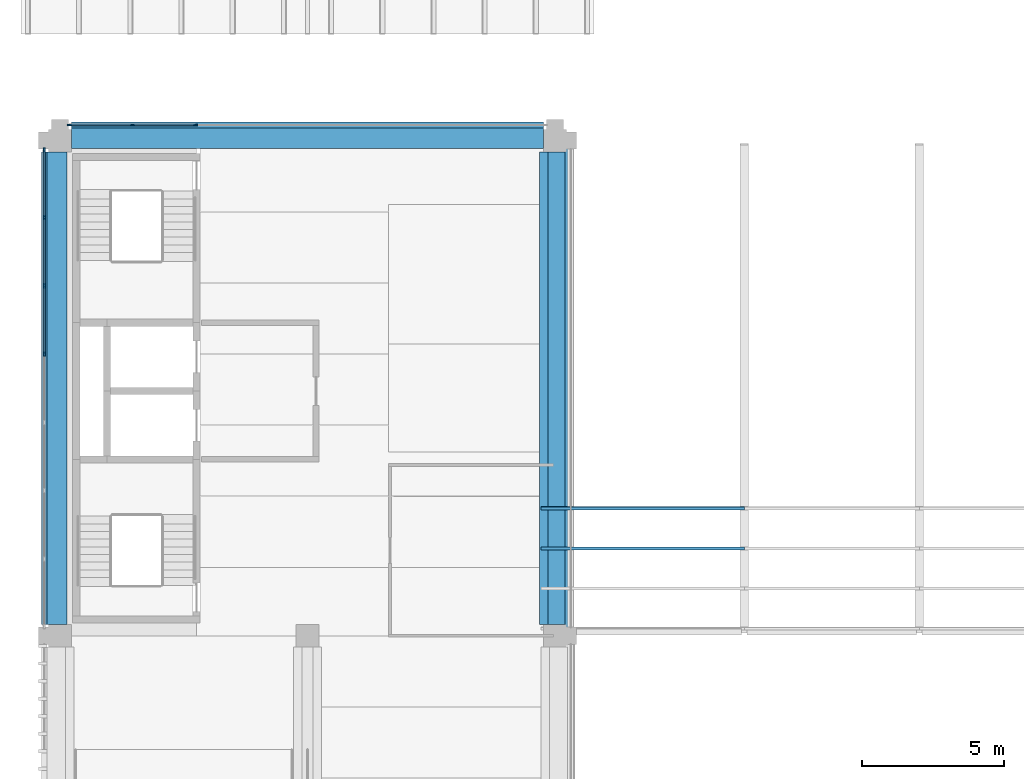
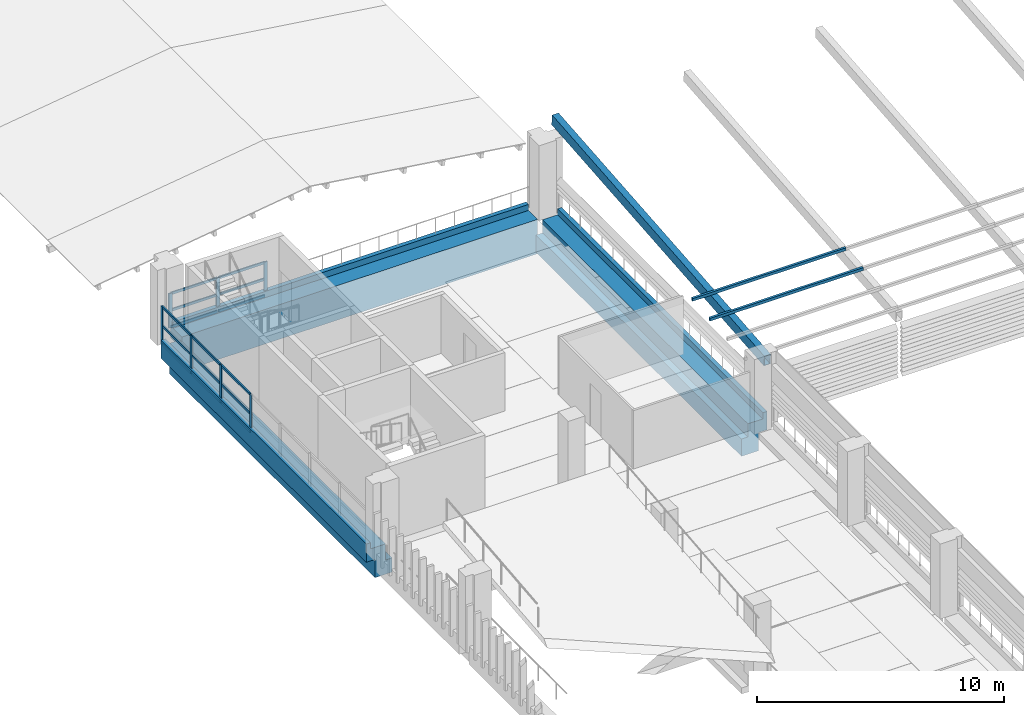
# One storey, part 5 of 52: 25 members, 3 beams, 2 elements without a shape of their own.
"""IFC4 building model written with IfcOpenShell, lengths in metres."""

from ifc_helpers import new_model, si_unit, direction, frame, origin, origin_2d, place, context, subcontext, project, spatial, polyline, rectangle, hollow_rectangle, outline, extrude, material, layer, layer_set, material_profile, profile_set, type_object, element, aggregate, save


model = new_model("IFC4")

# Units and contexts
model_context = context("Model", 3, precision=1e-05, world=origin(), true_north=direction((0.0, 1.0)))
body_context = subcontext(model_context, "Body", "Model", "MODEL_VIEW")
ifc_project = project(units=[si_unit("LENGTHUNIT", "METRE"), si_unit("AREAUNIT", "SQUARE_METRE"), si_unit("VOLUMEUNIT", "CUBIC_METRE"), si_unit("PLANEANGLEUNIT", "RADIAN"), si_unit("MASSUNIT", "GRAM", prefix="KILO")], contexts=[model_context])

# Site, building, storey
site_placement = place(None, origin())
site = spatial("IfcSite", under=ifc_project, at=site_placement, CompositionType="ELEMENT")
building_placement = place(site_placement, origin())
building = spatial("IfcBuilding", under=site, at=building_placement, Name="Cour d'Honneur Mobility Palace", CompositionType="ELEMENT")
storey_placement = place(building_placement, frame((0.0, 0.0, 23.0)))
storey = spatial("IfcBuildingStorey", under=building, at=storey_placement, Name="L06", CompositionType="ELEMENT", Elevation=23.0)

# Curtain wall, members
ifc_material_1 = material(Name="Aluminium and glass", Category="aluminium")
ifc_layer = layer(ifc_material_1, 0.10009765625)
ifc_layer_set = layer_set([ifc_layer], Name="Aluminium and glass")
curtain_wall_type = type_object("IfcCurtainWallType", Name="Curtain wall run", PredefinedType="NOTDEFINED", material=ifc_layer_set)
curtain_wall_1_placement = place(storey_placement, origin())
curtain_wall_1 = element("IfcCurtainWall", 1, at=curtain_wall_1_placement, inside=storey, type_object=curtain_wall_type, Name="Curtain wall CW-106", PredefinedType="NOTDEFINED")
ifc_material_2 = material(Name="Aluminium", Category="aluminium")
ifc_material_profile_1 = material_profile(ifc_material_2, rectangle(XDim=0.06005859375, YDim=0.159912109375, at=origin_2d()), Name="Curtain wall mullion")
ifc_profile_set_1 = profile_set([ifc_material_profile_1], Name="Aluminium")
member_type_1 = type_object("IfcMemberType", Name="Curtain wall mullion", PredefinedType="MULLION", material=ifc_profile_set_1)
member_1_placement = place(storey_placement, frame((4.77001953125, 62.949951171875, 0.0), z_axis=(0.0, 0.0, 1.0), x_axis=(0.0, -1.0, 0.0)))
member_1 = element("IfcMember", 2, at=member_1_placement, type_object=member_type_1, Name="CW-106 mullion 1", PredefinedType="MULLION", context=body_context, shape_type="SweptSolid", body=[
    extrude(rectangle(XDim=0.06005859375, YDim=0.159912109375, at=origin_2d()), origin(), (0.0, 0.0, 1.0), 1.699951171875),
])
member_2_placement = place(storey_placement, frame((2.550048828125, 62.949951171875, 0.0), z_axis=(0.0, 0.0, 1.0), x_axis=(0.0, -1.0, 0.0)))
member_2 = element("IfcMember", 3, at=member_2_placement, type_object=member_type_1, Name="CW-106 mullion 2", PredefinedType="MULLION", context=body_context, shape_type="SweptSolid", body=[
    extrude(rectangle(XDim=0.06005859375, YDim=0.159912109375, at=origin_2d()), origin(), (0.0, 0.0, 1.0), 1.699951171875),
])
member_3_placement = place(storey_placement, frame((0.330078125, 62.949951171875, 0.0), z_axis=(0.0, 0.0, 1.0), x_axis=(0.0, -1.0, 0.0)))
member_3 = element("IfcMember", 4, at=member_3_placement, type_object=member_type_1, Name="CW-106 mullion 3", PredefinedType="MULLION", context=body_context, shape_type="SweptSolid", body=[
    extrude(rectangle(XDim=0.06005859375, YDim=0.159912109375, at=origin_2d()), origin(), (0.0, 0.0, 1.0), 1.699951171875),
])

curtain_wall_2_placement = place(storey_placement, origin())
curtain_wall_2 = element("IfcCurtainWall", 5, at=curtain_wall_2_placement, inside=storey, type_object=curtain_wall_type, Name="Curtain wall CW-107", PredefinedType="NOTDEFINED")
member_4_placement = place(storey_placement, frame((-0.550048828125, 62.070068359375, 0.0), z_axis=(0.0, 0.0, 1.0), x_axis=(1.0, 0.0, 0.0)))
member_4 = element("IfcMember", 6, at=member_4_placement, type_object=member_type_1, Name="CW-107 mullion 1", PredefinedType="MULLION", context=body_context, shape_type="SweptSolid", body=[
    extrude(rectangle(XDim=0.06005859375, YDim=0.159912109375, at=origin_2d()), origin(), (0.0, 0.0, 1.0), 1.89990234375),
])
member_5_placement = place(storey_placement, frame((-0.550048828125, 59.699951171875, 0.0), z_axis=(0.0, 0.0, 1.0), x_axis=(1.0, 0.0, 0.0)))
member_5 = element("IfcMember", 7, at=member_5_placement, type_object=member_type_1, Name="CW-107 mullion 2", PredefinedType="MULLION", context=body_context, shape_type="SweptSolid", body=[
    extrude(rectangle(XDim=0.06005859375, YDim=0.159912109375, at=origin_2d()), origin(), (0.0, 0.0, 1.0), 1.89990234375),
])
member_6_placement = place(storey_placement, frame((-0.550048828125, 57.300048828125, 0.0), z_axis=(0.0, 0.0, 1.0), x_axis=(1.0, 0.0, 0.0)))
member_6 = element("IfcMember", 8, at=member_6_placement, type_object=member_type_1, Name="CW-107 mullion 3", PredefinedType="MULLION", context=body_context, shape_type="SweptSolid", body=[
    extrude(rectangle(XDim=0.06005859375, YDim=0.159912109375, at=origin_2d()), origin(), (0.0, 0.0, 1.0), 1.89990234375),
])
member_7_placement = place(storey_placement, frame((-0.550048828125, 54.89990234375, 0.0), z_axis=(0.0, 0.0, 1.0), x_axis=(1.0, 0.0, 0.0)))
member_7 = element("IfcMember", 9, at=member_7_placement, type_object=member_type_1, Name="CW-107 mullion 4", PredefinedType="MULLION", context=body_context, shape_type="SweptSolid", body=[
    extrude(rectangle(XDim=0.06005859375, YDim=0.159912109375, at=origin_2d()), origin(), (0.0, 0.0, 1.0), 1.89990234375),
])

# Member
ifc_material_3 = material(Name="Aluminium", Category="aluminium")
ifc_material_profile_2 = material_profile(ifc_material_3, rectangle(XDim=0.06005859375, YDim=0.1201171875, at=origin_2d()), Name="Curtain wall transom")
ifc_profile_set_2 = profile_set([ifc_material_profile_2], Name="Aluminium")
member_type_2 = type_object("IfcMemberType", Name="Curtain wall transom", PredefinedType="USERDEFINED", material=ifc_profile_set_2)
member_8_placement = place(storey_placement, frame((4.739990234375, 62.949951171875, 0.030029296875), z_axis=(-1.0, 0.0, 0.0), x_axis=(0.0, -1.0, 0.0)))
member_8 = element("IfcMember", 10, at=member_8_placement, type_object=member_type_2, Name="CW-106 transom 1.1", ObjectType="TRANSOM", PredefinedType="USERDEFINED", context=body_context, shape_type="SweptSolid", body=[
    extrude(rectangle(XDim=0.06005859375, YDim=0.1201171875, at=origin_2d()), origin(), (0.0, 0.0, 1.0), 2.159912109375),
])

member_9_placement = place(storey_placement, frame((4.739990234375, 62.949951171875, 0.85009765625), z_axis=(-1.0, 0.0, 0.0), x_axis=(0.0, -1.0, 0.0)))
member_9 = element("IfcMember", 11, at=member_9_placement, type_object=member_type_2, Name="CW-106 transom 1.2", ObjectType="TRANSOM", PredefinedType="USERDEFINED", context=body_context, shape_type="SweptSolid", body=[
    extrude(rectangle(XDim=0.06005859375, YDim=0.1201171875, at=origin_2d()), origin(), (0.0, 0.0, 1.0), 2.159912109375),
])

member_10_placement = place(storey_placement, frame((4.739990234375, 62.949951171875, 1.669921875), z_axis=(-1.0, 0.0, 0.0), x_axis=(0.0, -1.0, 0.0)))
member_10 = element("IfcMember", 12, at=member_10_placement, type_object=member_type_2, Name="CW-106 transom 1.3", ObjectType="TRANSOM", PredefinedType="USERDEFINED", context=body_context, shape_type="SweptSolid", body=[
    extrude(rectangle(XDim=0.06005859375, YDim=0.1201171875, at=origin_2d()), origin(), (0.0, 0.0, 1.0), 2.159912109375),
])

member_11_placement = place(storey_placement, frame((2.52001953125, 62.949951171875, 0.030029296875), z_axis=(-1.0, 0.0, 0.0), x_axis=(0.0, -1.0, 0.0)))
member_11 = element("IfcMember", 13, at=member_11_placement, type_object=member_type_2, Name="CW-106 transom 2.1", ObjectType="TRANSOM", PredefinedType="USERDEFINED", context=body_context, shape_type="SweptSolid", body=[
    extrude(rectangle(XDim=0.06005859375, YDim=0.1201171875, at=origin_2d()), origin(), (0.0, 0.0, 1.0), 2.159912109375),
])

member_12_placement = place(storey_placement, frame((2.52001953125, 62.949951171875, 0.85009765625), z_axis=(-1.0, 0.0, 0.0), x_axis=(0.0, -1.0, 0.0)))
member_12 = element("IfcMember", 14, at=member_12_placement, type_object=member_type_2, Name="CW-106 transom 2.2", ObjectType="TRANSOM", PredefinedType="USERDEFINED", context=body_context, shape_type="SweptSolid", body=[
    extrude(rectangle(XDim=0.06005859375, YDim=0.1201171875, at=origin_2d()), origin(), (0.0, 0.0, 1.0), 2.159912109375),
])

member_13_placement = place(storey_placement, frame((2.52001953125, 62.949951171875, 1.669921875), z_axis=(-1.0, 0.0, 0.0), x_axis=(0.0, -1.0, 0.0)))
member_13 = element("IfcMember", 15, at=member_13_placement, type_object=member_type_2, Name="CW-106 transom 2.3", ObjectType="TRANSOM", PredefinedType="USERDEFINED", context=body_context, shape_type="SweptSolid", body=[
    extrude(rectangle(XDim=0.06005859375, YDim=0.1201171875, at=origin_2d()), origin(), (0.0, 0.0, 1.0), 2.159912109375),
])

aggregate(curtain_wall_1, [member_1, member_2, member_3, member_8, member_9, member_10, member_11, member_12, member_13])

member_14_placement = place(storey_placement, frame((-0.550048828125, 62.0400390625, 0.030029296875), z_axis=(0.0, -1.0, 0.0), x_axis=(1.0, 0.0, 0.0)))
member_14 = element("IfcMember", 16, at=member_14_placement, type_object=member_type_2, Name="CW-107 transom 1.1", ObjectType="TRANSOM", PredefinedType="USERDEFINED", context=body_context, shape_type="SweptSolid", body=[
    extrude(rectangle(XDim=0.06005859375, YDim=0.1201171875, at=origin_2d()), origin(), (0.0, 0.0, 1.0), 2.31005859375),
])

member_15_placement = place(storey_placement, frame((-0.550048828125, 62.0400390625, 0.949951171875), z_axis=(0.0, -1.0, 0.0), x_axis=(1.0, 0.0, 0.0)))
member_15 = element("IfcMember", 17, at=member_15_placement, type_object=member_type_2, Name="CW-107 transom 1.2", ObjectType="TRANSOM", PredefinedType="USERDEFINED", context=body_context, shape_type="SweptSolid", body=[
    extrude(rectangle(XDim=0.06005859375, YDim=0.1201171875, at=origin_2d()), origin(), (0.0, 0.0, 1.0), 2.31005859375),
])

member_16_placement = place(storey_placement, frame((-0.550048828125, 62.0400390625, 1.8701171875), z_axis=(0.0, -1.0, 0.0), x_axis=(1.0, 0.0, 0.0)))
member_16 = element("IfcMember", 18, at=member_16_placement, type_object=member_type_2, Name="CW-107 transom 1.3", ObjectType="TRANSOM", PredefinedType="USERDEFINED", context=body_context, shape_type="SweptSolid", body=[
    extrude(rectangle(XDim=0.06005859375, YDim=0.1201171875, at=origin_2d()), origin(), (0.0, 0.0, 1.0), 2.31005859375),
])

member_17_placement = place(storey_placement, frame((-0.550048828125, 59.669921875, 0.030029296875), z_axis=(0.0, -1.0, 0.0), x_axis=(1.0, 0.0, 0.0)))
member_17 = element("IfcMember", 19, at=member_17_placement, type_object=member_type_2, Name="CW-107 transom 2.1", ObjectType="TRANSOM", PredefinedType="USERDEFINED", context=body_context, shape_type="SweptSolid", body=[
    extrude(rectangle(XDim=0.06005859375, YDim=0.1201171875, at=origin_2d()), origin(), (0.0, 0.0, 1.0), 2.33984375),
])

member_18_placement = place(storey_placement, frame((-0.550048828125, 59.669921875, 0.949951171875), z_axis=(0.0, -1.0, 0.0), x_axis=(1.0, 0.0, 0.0)))
member_18 = element("IfcMember", 20, at=member_18_placement, type_object=member_type_2, Name="CW-107 transom 2.2", ObjectType="TRANSOM", PredefinedType="USERDEFINED", context=body_context, shape_type="SweptSolid", body=[
    extrude(rectangle(XDim=0.06005859375, YDim=0.1201171875, at=origin_2d()), origin(), (0.0, 0.0, 1.0), 2.33984375),
])

member_19_placement = place(storey_placement, frame((-0.550048828125, 59.669921875, 1.8701171875), z_axis=(0.0, -1.0, 0.0), x_axis=(1.0, 0.0, 0.0)))
member_19 = element("IfcMember", 21, at=member_19_placement, type_object=member_type_2, Name="CW-107 transom 2.3", ObjectType="TRANSOM", PredefinedType="USERDEFINED", context=body_context, shape_type="SweptSolid", body=[
    extrude(rectangle(XDim=0.06005859375, YDim=0.1201171875, at=origin_2d()), origin(), (0.0, 0.0, 1.0), 2.33984375),
])

member_20_placement = place(storey_placement, frame((-0.550048828125, 57.27001953125, 0.030029296875), z_axis=(0.0, -1.0, 0.0), x_axis=(1.0, 0.0, 0.0)))
member_20 = element("IfcMember", 22, at=member_20_placement, type_object=member_type_2, Name="CW-107 transom 3.1", ObjectType="TRANSOM", PredefinedType="USERDEFINED", context=body_context, shape_type="SweptSolid", body=[
    extrude(rectangle(XDim=0.06005859375, YDim=0.1201171875, at=origin_2d()), origin(), (0.0, 0.0, 1.0), 2.340087890625),
])

member_21_placement = place(storey_placement, frame((-0.550048828125, 57.27001953125, 0.949951171875), z_axis=(0.0, -1.0, 0.0), x_axis=(1.0, 0.0, 0.0)))
member_21 = element("IfcMember", 23, at=member_21_placement, type_object=member_type_2, Name="CW-107 transom 3.2", ObjectType="TRANSOM", PredefinedType="USERDEFINED", context=body_context, shape_type="SweptSolid", body=[
    extrude(rectangle(XDim=0.06005859375, YDim=0.1201171875, at=origin_2d()), origin(), (0.0, 0.0, 1.0), 2.340087890625),
])

member_22_placement = place(storey_placement, frame((-0.550048828125, 57.27001953125, 1.8701171875), z_axis=(0.0, -1.0, 0.0), x_axis=(1.0, 0.0, 0.0)))
member_22 = element("IfcMember", 24, at=member_22_placement, type_object=member_type_2, Name="CW-107 transom 3.3", ObjectType="TRANSOM", PredefinedType="USERDEFINED", context=body_context, shape_type="SweptSolid", body=[
    extrude(rectangle(XDim=0.06005859375, YDim=0.1201171875, at=origin_2d()), origin(), (0.0, 0.0, 1.0), 2.340087890625),
])

aggregate(curtain_wall_2, [member_4, member_5, member_6, member_7, member_14, member_15, member_16, member_17, member_18, member_19, member_20, member_21, member_22])

# Beams
ifc_material_4 = material(Name="Concrete C45", Category="concrete")
ifc_material_profile_3 = material_profile(ifc_material_4, outline(polyline([(0.27490234375, -1.699951171875), (0.27490234375, -0.60009765625), (0.64990234375, -0.60009765625), (0.64990234375, 0.300048828125), (0.449951171875, 0.300048828125), (0.449951171875, 0.0), (0.27490234375, 0.0), (-0.27490234375, 0.0), (-0.27490234375, -1.699951171875), (0.27490234375, -1.699951171875)])), Name="Edge Spandrel Beam 550x1700 no ledge facade left")
ifc_profile_set_3 = profile_set([ifc_material_profile_3], Name="Concrete C45")
beam_type_1 = type_object("IfcBeamType", Name="Edge Spandrel Beam 550x1700 no ledge facade left", PredefinedType="SPANDREL", material=ifc_profile_set_3)
beam_1_placement = place(storey_placement, frame((0.39990234375, 62.39990234375, 0.0), z_axis=(1.0, 0.0, 0.0), x_axis=(0.0, 1.0, 0.0)))
element("IfcBeam", 25, at=beam_1_placement, inside=storey, type_object=beam_type_1, Name="Precast beam B7 1-2 L06", PredefinedType="SPANDREL", context=body_context, shape_type="SweptSolid", body=[
    extrude(outline(polyline([(0.27490234375, -1.699951171875), (0.27490234375, -0.60009765625), (0.64990234375, -0.60009765625), (0.64990234375, 0.300048828125), (0.449951171875, 0.300048828125), (0.449951171875, 0.0), (0.27490234375, 0.0), (-0.27490234375, 0.0), (-0.27490234375, -1.699951171875), (0.27490234375, -1.699951171875)])), origin(), (0.0, 0.0, 1.0), 16.60009765625),
])
ifc_material_5 = material(Name="Concrete C45", Category="concrete")
ifc_material_profile_4 = material_profile(ifc_material_5, outline(polyline([(0.550048828125, -1.5), (0.550048828125, -0.64990234375), (0.25, -0.64990234375), (0.25, 0.0), (-0.25, 0.0), (-0.449951171875, 0.0), (-0.449951171875, 0.300048828125), (-0.64990234375, 0.300048828125), (-0.64990234375, -0.60009765625), (-0.25, -0.60009765625), (-0.25, -1.5), (0.550048828125, -1.5)])), Name="Ledger Beam 500x1500 ledge left 850 facade right")
ifc_profile_set_4 = profile_set([ifc_material_profile_4], Name="Concrete C45")
beam_type_2 = type_object("IfcBeamType", Name="Ledger Beam 500x1500 ledge left 850 facade right", PredefinedType="BEAM", material=ifc_profile_set_4)
beam_2_placement = place(storey_placement, frame((17.39990234375, 45.39990234375, 0.0), z_axis=(0.0, 1.0, 0.0), x_axis=(-1.0, 0.0, 0.0)))
element("IfcBeam", 26, at=beam_2_placement, inside=storey, type_object=beam_type_2, Name="Precast beam B23 G-H L06", PredefinedType="BEAM", context=body_context, shape_type="SweptSolid", body=[
    extrude(outline(polyline([(0.550048828125, -1.5), (0.550048828125, -0.64990234375), (0.25, -0.64990234375), (0.25, 0.0), (-0.25, 0.0), (-0.449951171875, 0.0), (-0.449951171875, 0.300048828125), (-0.64990234375, 0.300048828125), (-0.64990234375, -0.60009765625), (-0.25, -0.60009765625), (-0.25, -1.5), (0.550048828125, -1.5)])), origin(), (0.0, 0.0, 1.0), 16.60009765625),
])
ifc_material_6 = material(Name="Concrete C45", Category="concrete")
ifc_material_profile_5 = material_profile(ifc_material_6, outline(polyline([(0.25, -1.5), (0.25, -0.60009765625), (0.64990234375, -0.60009765625), (0.64990234375, 0.300048828125), (0.449951171875, 0.300048828125), (0.449951171875, 0.0), (0.25, 0.0), (-0.25, 0.0), (-0.25, -0.800048828125), (-0.550048828125, -0.800048828125), (-0.550048828125, -1.5), (0.25, -1.5)])), Name="Ledger Beam 500x1500 ledge right 700 facade left")
ifc_profile_set_5 = profile_set([ifc_material_profile_5], Name="Concrete C45")
beam_type_3 = type_object("IfcBeamType", Name="Ledger Beam 500x1500 ledge right 700 facade left", PredefinedType="BEAM", material=ifc_profile_set_5)
beam_3_placement = place(storey_placement, frame((0.0, 45.39990234375, 0.0), z_axis=(0.0, 1.0, 0.0), x_axis=(-1.0, 0.0, 0.0)))
element("IfcBeam", 27, at=beam_3_placement, inside=storey, type_object=beam_type_3, Name="Precast beam B8 G-H L06", PredefinedType="BEAM", context=body_context, shape_type="SweptSolid", body=[
    extrude(outline(polyline([(0.25, -1.5), (0.25, -0.60009765625), (0.64990234375, -0.60009765625), (0.64990234375, 0.300048828125), (0.449951171875, 0.300048828125), (0.449951171875, 0.0), (0.25, 0.0), (-0.25, 0.0), (-0.25, -0.800048828125), (-0.550048828125, -0.800048828125), (-0.550048828125, -1.5), (0.25, -1.5)])), origin(), (0.0, 0.0, 1.0), 16.60009765625),
])

# Members
ifc_material_7 = material(Name="Steel S355", Category="steel")
ifc_material_profile_6 = material_profile(ifc_material_7, hollow_rectangle(XDim=0.10009765625, YDim=0.14990234375, WallThickness=0.00634765625, at=origin_2d()), Name="RHS 150x100x6.3")
ifc_profile_set_6 = profile_set([ifc_material_profile_6], Name="Steel S355")
member_type_3 = type_object("IfcMemberType", Name="Pergola purlin RHS 150x100x6.3", PredefinedType="PURLIN", material=ifc_profile_set_6)
for number, where, z_axis, x_axis, name in (
    (28, (16.89990234375, 48.070068359375, 3.634765625), (1.0, 0.0, 0.0), (0.0, 0.996196869991, 0.08713091426), "Pergola purlin FW-3.1"),
    (29, (16.89990234375, 49.4775390625, 3.7578125), (1.0, 0.0, 0.0), (0.0, 0.996196869991, 0.08713091426), "Pergola purlin FW-4.1"),
):
    element("IfcMember", number, at=place(storey_placement, frame(where, z_axis=z_axis, x_axis=x_axis)), inside=storey, type_object=member_type_3, Name=name, PredefinedType="PURLIN", context=body_context, shape_type="SweptSolid", body=[
        extrude(hollow_rectangle(XDim=0.10009765625, YDim=0.14990234375, WallThickness=0.00634765625, at=origin_2d()), origin(), (0.0, 0.0, 1.0), 7.150146484375),
    ])
ifc_material_8 = material(Name="Steel S355", Category="steel")
ifc_material_profile_7 = material_profile(ifc_material_8, hollow_rectangle(XDim=0.300048828125, YDim=0.5, WallThickness=0.01611328125, at=origin_2d()), Name="RHS 500x300x16")
ifc_profile_set_7 = profile_set([ifc_material_profile_7], Name="Steel S355")
member_type_4 = type_object("IfcMemberType", Name="Pergola rafter RHS 500x300x16", PredefinedType="RAFTER", material=ifc_profile_set_7)
member_23_placement = place(storey_placement, frame((17.89990234375, 45.125, 3.051025390625), z_axis=(0.0, 0.996196826291, 0.087131413899), x_axis=(-1.0, 0.0, 0.0)))
element("IfcMember", 30, at=member_23_placement, inside=storey, type_object=member_type_4, Name="Pergola rafter FW-1", PredefinedType="RAFTER", context=body_context, shape_type="SweptSolid", body=[
    extrude(hollow_rectangle(XDim=0.300048828125, YDim=0.5, WallThickness=0.01611328125, at=origin_2d()), origin(), (0.0, 0.0, 1.0), 17.21533203125),
])

save(model, "model.ifc")
